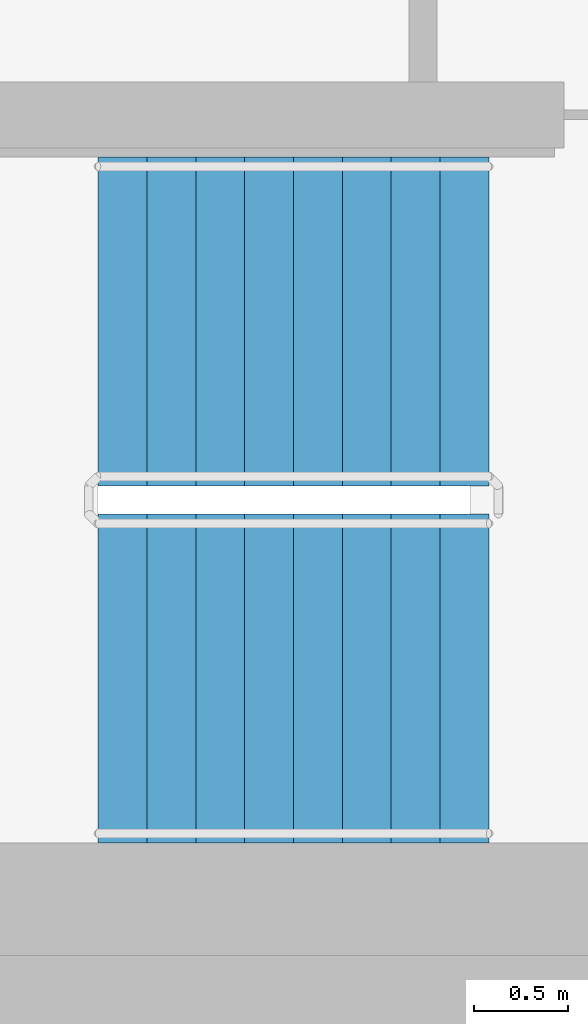
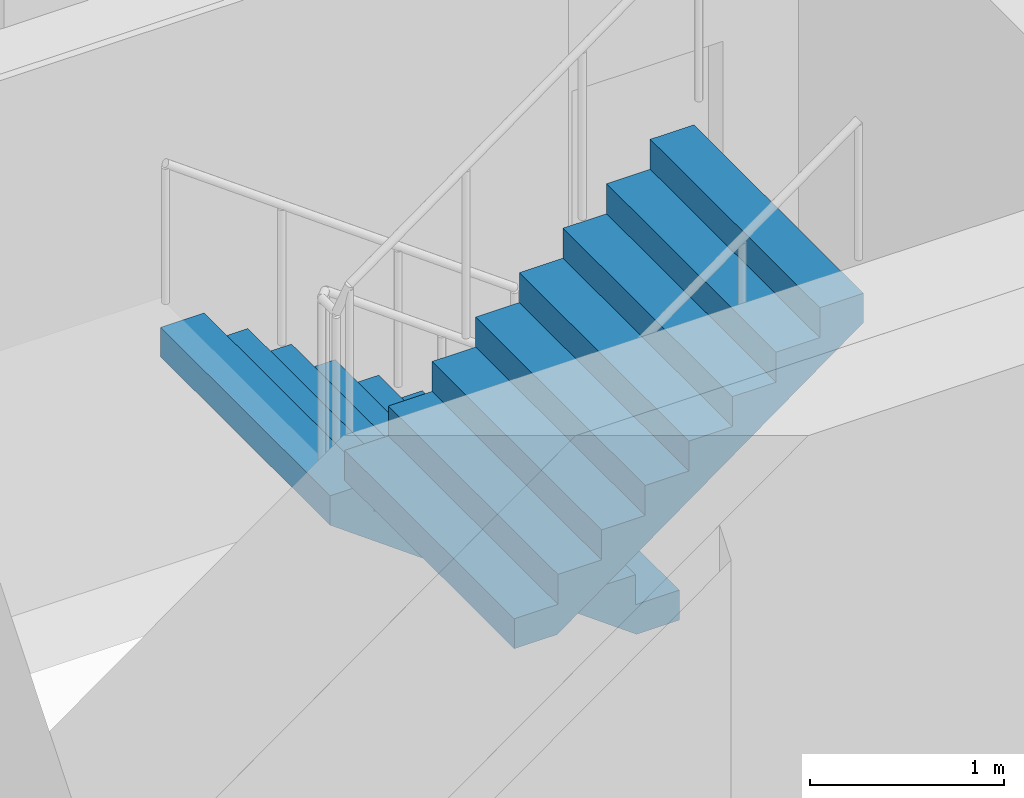
# One storey, part 13 of 19: 2 stair flights, 1 element without a shape of its own.
"""IFC4 building model written with IfcOpenShell, lengths in metres."""

from ifc_helpers import new_model, si_unit, direction, frame, origin, place, context, subcontext, project, spatial, faceted_brep, material, type_object, element, aggregate, save


model = new_model("IFC4")

# Units and contexts
model_context = context("Model", 3, precision=1e-05, world=origin(), true_north=direction((0.0, 1.0)))
body_context = subcontext(model_context, "Body", "Model", "MODEL_VIEW")
ifc_project = project(units=[si_unit("LENGTHUNIT", "METRE"), si_unit("AREAUNIT", "SQUARE_METRE"), si_unit("VOLUMEUNIT", "CUBIC_METRE"), si_unit("PLANEANGLEUNIT", "RADIAN"), si_unit("MASSUNIT", "GRAM", prefix="KILO")], contexts=[model_context])

# Site, building, storey
site_placement = place(None, origin())
site = spatial("IfcSite", under=ifc_project, at=site_placement, CompositionType="ELEMENT")
building_placement = place(site_placement, origin())
building = spatial("IfcBuilding", under=site, at=building_placement, Name="Ipe Terrace Towers", CompositionType="ELEMENT")
storey_placement = place(building_placement, frame((0.0, 0.0, 189.199951171875)))
storey = spatial("IfcBuildingStorey", under=building, at=storey_placement, Name="L52", CompositionType="ELEMENT", Elevation=189.199951171875)

# Stair, stair flights
ifc_material_1 = material(Name="Concrete C30/37", Category="concrete")
stair_type = type_object("IfcStairType", Name="Protected exit stair", PredefinedType="HALF_TURN_STAIR", material=ifc_material_1)
stair_placement = place(storey_placement, origin())
stair = element("IfcStair", 1, at=stair_placement, inside=storey, type_object=stair_type, Name="L52 Exit stair T1-C2", PredefinedType="HALF_TURN_STAIR")
ifc_material_2 = material(Name="Concrete C30/37", Category="concrete")
stair_flight_type = type_object("IfcStairFlightType", Name="Exit stair flight 1750", PredefinedType="STRAIGHT", material=ifc_material_2)
stair_flight_1_placement = place(storey_placement, frame((-45.699951171875, -2.77490234375, 0.0), z_axis=(0.0, 0.0, 1.0), x_axis=(-1.0, 0.0, 0.0)))
stair_flight_1 = element("IfcStairFlight", 2, at=stair_flight_1_placement, type_object=stair_flight_type, Name="T1-ST2 flight 1", NumberOfRisers=9, NumberOfTreads=8, PredefinedType="STRAIGHT", RiserHeight=0.188888889, TreadLength=0.26, context=body_context, shape_type="Brep", body=[
    faceted_brep([(0.255126953125, -0.875, 0.0), (2.080078125, -0.875, 1.325927734375), (2.080078125, -0.875, 1.51123046875), (1.820068359375, -0.875, 1.51123046875), (1.820068359375, -0.875, 1.322265625), (1.56005859375, -0.875, 1.322265625), (1.56005859375, -0.875, 1.13330078125), (1.300048828125, -0.875, 1.13330078125), (1.300048828125, -0.875, 0.9443359375), (1.0400390625, -0.875, 0.9443359375), (1.0400390625, -0.875, 0.755615234375), (0.780029296875, -0.875, 0.755615234375), (0.780029296875, -0.875, 0.566650390625), (0.52001953125, -0.875, 0.566650390625), (0.52001953125, -0.875, 0.377685546875), (0.260009765625, -0.875, 0.377685546875), (0.260009765625, -0.875, 0.18896484375), (0.0, -0.875, 0.18896484375), (0.0, -0.875, 0.0), (0.0, 0.875, 0.0), (0.0, 0.875, 0.18896484375), (0.260009765625, 0.875, 0.18896484375), (0.260009765625, 0.875, 0.377685546875), (0.52001953125, 0.875, 0.377685546875), (0.52001953125, 0.875, 0.566650390625), (0.780029296875, 0.875, 0.566650390625), (0.780029296875, 0.875, 0.755615234375), (1.0400390625, 0.875, 0.755615234375), (1.0400390625, 0.875, 0.9443359375), (1.300048828125, 0.875, 0.9443359375), (1.300048828125, 0.875, 1.13330078125), (1.56005859375, 0.875, 1.13330078125), (1.56005859375, 0.875, 1.322265625), (1.820068359375, 0.875, 1.322265625), (1.820068359375, 0.875, 1.51123046875), (2.080078125, 0.875, 1.51123046875), (2.080078125, 0.875, 1.325927734375), (0.255126953125, 0.875, 0.0), (0.0, -0.300048828125, 0.18896484375), (0.0, -0.1201171875, 0.18896484375), (0.0, -0.06005859375, 0.18896484375), (0.0, -0.030029296875, 0.18896484375), (0.0, -0.010009765625, 0.18896484375), (0.0, 0.0, 0.18896484375), (0.0, 0.010009765625, 0.18896484375), (0.0, 0.030029296875, 0.18896484375), (0.0, 0.06005859375, 0.18896484375), (0.0, 0.1201171875, 0.18896484375), (0.0, 0.300048828125, 0.18896484375), (0.0, 0.300048828125, 0.0), (0.0, 0.1201171875, 0.0), (0.0, 0.06005859375, 0.0), (0.0, 0.030029296875, 0.0), (0.0, 0.010009765625, 0.0), (0.0, 0.0, 0.0), (0.0, -0.010009765625, 0.0), (0.0, -0.030029296875, 0.0), (0.0, -0.06005859375, 0.0), (0.0, -0.1201171875, 0.0), (0.0, -0.300048828125, 0.0), (0.260009765625, -0.300048828125, 0.18896484375), (0.260009765625, -0.1201171875, 0.18896484375), (0.260009765625, -0.06005859375, 0.18896484375), (0.260009765625, -0.030029296875, 0.18896484375), (0.260009765625, -0.010009765625, 0.18896484375), (0.260009765625, 0.0, 0.18896484375), (0.260009765625, 0.010009765625, 0.18896484375), (0.260009765625, 0.030029296875, 0.18896484375), (0.260009765625, 0.06005859375, 0.18896484375), (0.260009765625, 0.1201171875, 0.18896484375), (0.260009765625, 0.300048828125, 0.18896484375), (0.260009765625, -0.300048828125, 0.377685546875), (0.260009765625, -0.1201171875, 0.377685546875), (0.260009765625, -0.06005859375, 0.377685546875), (0.260009765625, -0.030029296875, 0.377685546875), (0.260009765625, -0.010009765625, 0.377685546875), (0.260009765625, 0.0, 0.377685546875), (0.260009765625, 0.010009765625, 0.377685546875), (0.260009765625, 0.030029296875, 0.377685546875), (0.260009765625, 0.06005859375, 0.377685546875), (0.260009765625, 0.1201171875, 0.377685546875), (0.260009765625, 0.300048828125, 0.377685546875), (0.52001953125, -0.300048828125, 0.377685546875), (0.52001953125, -0.1201171875, 0.377685546875), (0.52001953125, -0.06005859375, 0.377685546875), (0.52001953125, -0.030029296875, 0.377685546875), (0.52001953125, -0.010009765625, 0.377685546875), (0.52001953125, 0.0, 0.377685546875), (0.52001953125, 0.010009765625, 0.377685546875), (0.52001953125, 0.030029296875, 0.377685546875), (0.52001953125, 0.06005859375, 0.377685546875), (0.52001953125, 0.1201171875, 0.377685546875), (0.52001953125, 0.300048828125, 0.377685546875), (0.52001953125, -0.300048828125, 0.566650390625), (0.52001953125, -0.1201171875, 0.566650390625), (0.52001953125, -0.06005859375, 0.566650390625), (0.52001953125, -0.030029296875, 0.566650390625), (0.52001953125, -0.010009765625, 0.566650390625), (0.52001953125, 0.0, 0.566650390625), (0.52001953125, 0.010009765625, 0.566650390625), (0.52001953125, 0.030029296875, 0.566650390625), (0.52001953125, 0.06005859375, 0.566650390625), (0.52001953125, 0.1201171875, 0.566650390625), (0.52001953125, 0.300048828125, 0.566650390625), (0.780029296875, -0.300048828125, 0.566650390625), (0.780029296875, -0.1201171875, 0.566650390625), (0.780029296875, -0.06005859375, 0.566650390625), (0.780029296875, -0.030029296875, 0.566650390625), (0.780029296875, -0.010009765625, 0.566650390625), (0.780029296875, 0.0, 0.566650390625), (0.780029296875, 0.010009765625, 0.566650390625), (0.780029296875, 0.030029296875, 0.566650390625), (0.780029296875, 0.06005859375, 0.566650390625), (0.780029296875, 0.1201171875, 0.566650390625), (0.780029296875, 0.300048828125, 0.566650390625), (0.780029296875, -0.300048828125, 0.755615234375), (0.780029296875, -0.1201171875, 0.755615234375), (0.780029296875, -0.06005859375, 0.755615234375), (0.780029296875, -0.030029296875, 0.755615234375), (0.780029296875, -0.010009765625, 0.755615234375), (0.780029296875, 0.0, 0.755615234375), (0.780029296875, 0.010009765625, 0.755615234375), (0.780029296875, 0.030029296875, 0.755615234375), (0.780029296875, 0.06005859375, 0.755615234375), (0.780029296875, 0.1201171875, 0.755615234375), (0.780029296875, 0.300048828125, 0.755615234375), (1.0400390625, -0.300048828125, 0.755615234375), (1.0400390625, -0.1201171875, 0.755615234375), (1.0400390625, -0.06005859375, 0.755615234375), (1.0400390625, -0.030029296875, 0.755615234375), (1.0400390625, -0.010009765625, 0.755615234375), (1.0400390625, 0.0, 0.755615234375), (1.0400390625, 0.010009765625, 0.755615234375), (1.0400390625, 0.030029296875, 0.755615234375), (1.0400390625, 0.06005859375, 0.755615234375), (1.0400390625, 0.1201171875, 0.755615234375), (1.0400390625, 0.300048828125, 0.755615234375), (1.0400390625, -0.300048828125, 0.9443359375), (1.0400390625, -0.1201171875, 0.9443359375), (1.0400390625, -0.06005859375, 0.9443359375), (1.0400390625, -0.030029296875, 0.9443359375), (1.0400390625, -0.010009765625, 0.9443359375), (1.0400390625, 0.0, 0.9443359375), (1.0400390625, 0.010009765625, 0.9443359375), (1.0400390625, 0.030029296875, 0.9443359375), (1.0400390625, 0.06005859375, 0.9443359375), (1.0400390625, 0.1201171875, 0.9443359375), (1.0400390625, 0.300048828125, 0.9443359375), (1.300048828125, -0.300048828125, 0.9443359375), (1.300048828125, -0.1201171875, 0.9443359375), (1.300048828125, -0.06005859375, 0.9443359375), (1.300048828125, -0.030029296875, 0.9443359375), (1.300048828125, -0.010009765625, 0.9443359375), (1.300048828125, 0.0, 0.9443359375), (1.300048828125, 0.010009765625, 0.9443359375), (1.300048828125, 0.030029296875, 0.9443359375), (1.300048828125, 0.06005859375, 0.9443359375), (1.300048828125, 0.1201171875, 0.9443359375), (1.300048828125, 0.300048828125, 0.9443359375), (1.300048828125, -0.300048828125, 1.13330078125), (1.300048828125, -0.1201171875, 1.13330078125), (1.300048828125, -0.06005859375, 1.13330078125), (1.300048828125, -0.030029296875, 1.13330078125), (1.300048828125, -0.010009765625, 1.13330078125), (1.300048828125, 0.0, 1.13330078125), (1.300048828125, 0.010009765625, 1.13330078125), (1.300048828125, 0.030029296875, 1.13330078125), (1.300048828125, 0.06005859375, 1.13330078125), (1.300048828125, 0.1201171875, 1.13330078125), (1.300048828125, 0.300048828125, 1.13330078125), (1.56005859375, -0.300048828125, 1.13330078125), (1.56005859375, -0.1201171875, 1.13330078125), (1.56005859375, -0.06005859375, 1.13330078125), (1.56005859375, -0.030029296875, 1.13330078125), (1.56005859375, -0.010009765625, 1.13330078125), (1.56005859375, 0.0, 1.13330078125), (1.56005859375, 0.010009765625, 1.13330078125), (1.56005859375, 0.030029296875, 1.13330078125), (1.56005859375, 0.06005859375, 1.13330078125), (1.56005859375, 0.1201171875, 1.13330078125), (1.56005859375, 0.300048828125, 1.13330078125), (1.56005859375, -0.300048828125, 1.322265625), (1.56005859375, -0.1201171875, 1.322265625), (1.56005859375, -0.06005859375, 1.322265625), (1.56005859375, -0.030029296875, 1.322265625), (1.56005859375, -0.010009765625, 1.322265625), (1.56005859375, 0.0, 1.322265625), (1.56005859375, 0.010009765625, 1.322265625), (1.56005859375, 0.030029296875, 1.322265625), (1.56005859375, 0.06005859375, 1.322265625), (1.56005859375, 0.1201171875, 1.322265625), (1.56005859375, 0.300048828125, 1.322265625), (1.820068359375, -0.300048828125, 1.322265625), (1.820068359375, -0.1201171875, 1.322265625), (1.820068359375, -0.06005859375, 1.322265625), (1.820068359375, -0.030029296875, 1.322265625), (1.820068359375, -0.010009765625, 1.322265625), (1.820068359375, 0.0, 1.322265625), (1.820068359375, 0.010009765625, 1.322265625), (1.820068359375, 0.030029296875, 1.322265625), (1.820068359375, 0.06005859375, 1.322265625), (1.820068359375, 0.1201171875, 1.322265625), (1.820068359375, 0.300048828125, 1.322265625), (1.820068359375, -0.300048828125, 1.51123046875), (1.820068359375, -0.1201171875, 1.51123046875), (1.820068359375, -0.06005859375, 1.51123046875), (1.820068359375, -0.030029296875, 1.51123046875), (1.820068359375, -0.010009765625, 1.51123046875), (1.820068359375, 0.0, 1.51123046875), (1.820068359375, 0.010009765625, 1.51123046875), (1.820068359375, 0.030029296875, 1.51123046875), (1.820068359375, 0.06005859375, 1.51123046875), (1.820068359375, 0.1201171875, 1.51123046875), (1.820068359375, 0.300048828125, 1.51123046875), (2.080078125, -0.300048828125, 1.51123046875), (2.080078125, -0.1201171875, 1.51123046875), (2.080078125, -0.06005859375, 1.51123046875), (2.080078125, -0.030029296875, 1.51123046875), (2.080078125, -0.010009765625, 1.51123046875), (2.080078125, 0.0, 1.51123046875), (2.080078125, 0.010009765625, 1.51123046875), (2.080078125, 0.030029296875, 1.51123046875), (2.080078125, 0.06005859375, 1.51123046875), (2.080078125, 0.1201171875, 1.51123046875), (2.080078125, 0.300048828125, 1.51123046875), (2.080078125, -0.300048828125, 1.325927734375), (2.080078125, -0.1201171875, 1.325927734375), (2.080078125, -0.06005859375, 1.325927734375), (2.080078125, -0.030029296875, 1.325927734375), (2.080078125, -0.010009765625, 1.325927734375), (2.080078125, 0.0, 1.325927734375), (2.080078125, 0.010009765625, 1.325927734375), (2.080078125, 0.030029296875, 1.325927734375), (2.080078125, 0.06005859375, 1.325927734375), (2.080078125, 0.1201171875, 1.325927734375), (2.080078125, 0.300048828125, 1.325927734375), (0.255126953125, -0.300048828125, 0.0), (0.255126953125, -0.1201171875, 0.0), (0.255126953125, -0.06005859375, 0.0), (0.255126953125, -0.030029296875, 0.0), (0.255126953125, -0.010009765625, 0.0), (0.255126953125, 0.0, 0.0), (0.255126953125, 0.010009765625, 0.0), (0.255126953125, 0.030029296875, 0.0), (0.255126953125, 0.06005859375, 0.0), (0.255126953125, 0.1201171875, 0.0), (0.255126953125, 0.300048828125, 0.0)], [[[0, 1, 2, 3, 4, 5, 6, 7, 8, 9, 10, 11, 12, 13, 14, 15, 16, 17, 18]], [[19, 20, 21, 22, 23, 24, 25, 26, 27, 28, 29, 30, 31, 32, 33, 34, 35, 36, 37]], [[17, 38, 39, 40, 41, 42, 43, 44, 45, 46, 47, 48, 20, 19, 49, 50, 51, 52, 53, 54, 55, 56, 57, 58, 59, 18]], [[16, 60, 61, 62, 63, 64, 65, 66, 67, 68, 69, 70, 21, 20, 48, 47, 46, 45, 44, 43, 42, 41, 40, 39, 38, 17]], [[15, 71, 72, 73, 74, 75, 76, 77, 78, 79, 80, 81, 22, 21, 70, 69, 68, 67, 66, 65, 64, 63, 62, 61, 60, 16]], [[14, 82, 83, 84, 85, 86, 87, 88, 89, 90, 91, 92, 23, 22, 81, 80, 79, 78, 77, 76, 75, 74, 73, 72, 71, 15]], [[13, 93, 94, 95, 96, 97, 98, 99, 100, 101, 102, 103, 24, 23, 92, 91, 90, 89, 88, 87, 86, 85, 84, 83, 82, 14]], [[12, 104, 105, 106, 107, 108, 109, 110, 111, 112, 113, 114, 25, 24, 103, 102, 101, 100, 99, 98, 97, 96, 95, 94, 93, 13]], [[11, 115, 116, 117, 118, 119, 120, 121, 122, 123, 124, 125, 26, 25, 114, 113, 112, 111, 110, 109, 108, 107, 106, 105, 104, 12]], [[10, 126, 127, 128, 129, 130, 131, 132, 133, 134, 135, 136, 27, 26, 125, 124, 123, 122, 121, 120, 119, 118, 117, 116, 115, 11]], [[9, 137, 138, 139, 140, 141, 142, 143, 144, 145, 146, 147, 28, 27, 136, 135, 134, 133, 132, 131, 130, 129, 128, 127, 126, 10]], [[8, 148, 149, 150, 151, 152, 153, 154, 155, 156, 157, 158, 29, 28, 147, 146, 145, 144, 143, 142, 141, 140, 139, 138, 137, 9]], [[7, 159, 160, 161, 162, 163, 164, 165, 166, 167, 168, 169, 30, 29, 158, 157, 156, 155, 154, 153, 152, 151, 150, 149, 148, 8]], [[6, 170, 171, 172, 173, 174, 175, 176, 177, 178, 179, 180, 31, 30, 169, 168, 167, 166, 165, 164, 163, 162, 161, 160, 159, 7]], [[5, 181, 182, 183, 184, 185, 186, 187, 188, 189, 190, 191, 32, 31, 180, 179, 178, 177, 176, 175, 174, 173, 172, 171, 170, 6]], [[4, 192, 193, 194, 195, 196, 197, 198, 199, 200, 201, 202, 33, 32, 191, 190, 189, 188, 187, 186, 185, 184, 183, 182, 181, 5]], [[3, 203, 204, 205, 206, 207, 208, 209, 210, 211, 212, 213, 34, 33, 202, 201, 200, 199, 198, 197, 196, 195, 194, 193, 192, 4]], [[2, 214, 215, 216, 217, 218, 219, 220, 221, 222, 223, 224, 35, 34, 213, 212, 211, 210, 209, 208, 207, 206, 205, 204, 203, 3]], [[1, 225, 226, 227, 228, 229, 230, 231, 232, 233, 234, 235, 36, 35, 224, 223, 222, 221, 220, 219, 218, 217, 216, 215, 214, 2]], [[0, 236, 237, 238, 239, 240, 241, 242, 243, 244, 245, 246, 37, 36, 235, 234, 233, 232, 231, 230, 229, 228, 227, 226, 225, 1]], [[18, 59, 58, 57, 56, 55, 54, 53, 52, 51, 50, 49, 19, 37, 246, 245, 244, 243, 242, 241, 240, 239, 238, 237, 236, 0]]]),
])
stair_flight_2_placement = place(storey_placement, frame((-47.780029296875, -4.675048828125, 1.699951171875), z_axis=(0.0, 0.0, 1.0), x_axis=(1.0, 0.0, 0.0)))
stair_flight_2 = element("IfcStairFlight", 3, at=stair_flight_2_placement, type_object=stair_flight_type, Name="T1-ST2 flight 2", NumberOfRisers=9, NumberOfTreads=8, PredefinedType="STRAIGHT", RiserHeight=0.188888889, TreadLength=0.26, context=body_context, shape_type="Brep", body=[
    faceted_brep([(0.255126953125, -0.875, 0.0), (2.080078125, -0.875, 1.325927734375), (2.080078125, -0.875, 1.51123046875), (1.820068359375, -0.875, 1.51123046875), (1.820068359375, -0.875, 1.322265625), (1.56005859375, -0.875, 1.322265625), (1.56005859375, -0.875, 1.13330078125), (1.300048828125, -0.875, 1.13330078125), (1.300048828125, -0.875, 0.9443359375), (1.0400390625, -0.875, 0.9443359375), (1.0400390625, -0.875, 0.755615234375), (0.780029296875, -0.875, 0.755615234375), (0.780029296875, -0.875, 0.566650390625), (0.52001953125, -0.875, 0.566650390625), (0.52001953125, -0.875, 0.377685546875), (0.260009765625, -0.875, 0.377685546875), (0.260009765625, -0.875, 0.18896484375), (0.0, -0.875, 0.18896484375), (0.0, -0.875, 0.0), (0.0, 0.875, 0.0), (0.0, 0.875, 0.18896484375), (0.260009765625, 0.875, 0.18896484375), (0.260009765625, 0.875, 0.377685546875), (0.52001953125, 0.875, 0.377685546875), (0.52001953125, 0.875, 0.566650390625), (0.780029296875, 0.875, 0.566650390625), (0.780029296875, 0.875, 0.755615234375), (1.0400390625, 0.875, 0.755615234375), (1.0400390625, 0.875, 0.9443359375), (1.300048828125, 0.875, 0.9443359375), (1.300048828125, 0.875, 1.13330078125), (1.56005859375, 0.875, 1.13330078125), (1.56005859375, 0.875, 1.322265625), (1.820068359375, 0.875, 1.322265625), (1.820068359375, 0.875, 1.51123046875), (2.080078125, 0.875, 1.51123046875), (2.080078125, 0.875, 1.325927734375), (0.255126953125, 0.875, 0.0), (0.0, -0.300048828125, 0.18896484375), (0.0, -0.1201171875, 0.18896484375), (0.0, -0.06005859375, 0.18896484375), (0.0, -0.030029296875, 0.18896484375), (0.0, -0.010009765625, 0.18896484375), (0.0, 0.0, 0.18896484375), (0.0, 0.010009765625, 0.18896484375), (0.0, 0.030029296875, 0.18896484375), (0.0, 0.06005859375, 0.18896484375), (0.0, 0.1201171875, 0.18896484375), (0.0, 0.300048828125, 0.18896484375), (0.0, 0.300048828125, 0.0), (0.0, 0.1201171875, 0.0), (0.0, 0.06005859375, 0.0), (0.0, 0.030029296875, 0.0), (0.0, 0.010009765625, 0.0), (0.0, 0.0, 0.0), (0.0, -0.010009765625, 0.0), (0.0, -0.030029296875, 0.0), (0.0, -0.06005859375, 0.0), (0.0, -0.1201171875, 0.0), (0.0, -0.300048828125, 0.0), (0.260009765625, -0.300048828125, 0.18896484375), (0.260009765625, -0.1201171875, 0.18896484375), (0.260009765625, -0.06005859375, 0.18896484375), (0.260009765625, -0.030029296875, 0.18896484375), (0.260009765625, -0.010009765625, 0.18896484375), (0.260009765625, 0.0, 0.18896484375), (0.260009765625, 0.010009765625, 0.18896484375), (0.260009765625, 0.030029296875, 0.18896484375), (0.260009765625, 0.06005859375, 0.18896484375), (0.260009765625, 0.1201171875, 0.18896484375), (0.260009765625, 0.300048828125, 0.18896484375), (0.260009765625, -0.300048828125, 0.377685546875), (0.260009765625, -0.1201171875, 0.377685546875), (0.260009765625, -0.06005859375, 0.377685546875), (0.260009765625, -0.030029296875, 0.377685546875), (0.260009765625, -0.010009765625, 0.377685546875), (0.260009765625, 0.0, 0.377685546875), (0.260009765625, 0.010009765625, 0.377685546875), (0.260009765625, 0.030029296875, 0.377685546875), (0.260009765625, 0.06005859375, 0.377685546875), (0.260009765625, 0.1201171875, 0.377685546875), (0.260009765625, 0.300048828125, 0.377685546875), (0.52001953125, -0.300048828125, 0.377685546875), (0.52001953125, -0.1201171875, 0.377685546875), (0.52001953125, -0.06005859375, 0.377685546875), (0.52001953125, -0.030029296875, 0.377685546875), (0.52001953125, -0.010009765625, 0.377685546875), (0.52001953125, 0.0, 0.377685546875), (0.52001953125, 0.010009765625, 0.377685546875), (0.52001953125, 0.030029296875, 0.377685546875), (0.52001953125, 0.06005859375, 0.377685546875), (0.52001953125, 0.1201171875, 0.377685546875), (0.52001953125, 0.300048828125, 0.377685546875), (0.52001953125, -0.300048828125, 0.566650390625), (0.52001953125, -0.1201171875, 0.566650390625), (0.52001953125, -0.06005859375, 0.566650390625), (0.52001953125, -0.030029296875, 0.566650390625), (0.52001953125, -0.010009765625, 0.566650390625), (0.52001953125, 0.0, 0.566650390625), (0.52001953125, 0.010009765625, 0.566650390625), (0.52001953125, 0.030029296875, 0.566650390625), (0.52001953125, 0.06005859375, 0.566650390625), (0.52001953125, 0.1201171875, 0.566650390625), (0.52001953125, 0.300048828125, 0.566650390625), (0.780029296875, -0.300048828125, 0.566650390625), (0.780029296875, -0.1201171875, 0.566650390625), (0.780029296875, -0.06005859375, 0.566650390625), (0.780029296875, -0.030029296875, 0.566650390625), (0.780029296875, -0.010009765625, 0.566650390625), (0.780029296875, 0.0, 0.566650390625), (0.780029296875, 0.010009765625, 0.566650390625), (0.780029296875, 0.030029296875, 0.566650390625), (0.780029296875, 0.06005859375, 0.566650390625), (0.780029296875, 0.1201171875, 0.566650390625), (0.780029296875, 0.300048828125, 0.566650390625), (0.780029296875, -0.300048828125, 0.755615234375), (0.780029296875, -0.1201171875, 0.755615234375), (0.780029296875, -0.06005859375, 0.755615234375), (0.780029296875, -0.030029296875, 0.755615234375), (0.780029296875, -0.010009765625, 0.755615234375), (0.780029296875, 0.0, 0.755615234375), (0.780029296875, 0.010009765625, 0.755615234375), (0.780029296875, 0.030029296875, 0.755615234375), (0.780029296875, 0.06005859375, 0.755615234375), (0.780029296875, 0.1201171875, 0.755615234375), (0.780029296875, 0.300048828125, 0.755615234375), (1.0400390625, -0.300048828125, 0.755615234375), (1.0400390625, -0.1201171875, 0.755615234375), (1.0400390625, -0.06005859375, 0.755615234375), (1.0400390625, -0.030029296875, 0.755615234375), (1.0400390625, -0.010009765625, 0.755615234375), (1.0400390625, 0.0, 0.755615234375), (1.0400390625, 0.010009765625, 0.755615234375), (1.0400390625, 0.030029296875, 0.755615234375), (1.0400390625, 0.06005859375, 0.755615234375), (1.0400390625, 0.1201171875, 0.755615234375), (1.0400390625, 0.300048828125, 0.755615234375), (1.0400390625, -0.300048828125, 0.9443359375), (1.0400390625, -0.1201171875, 0.9443359375), (1.0400390625, -0.06005859375, 0.9443359375), (1.0400390625, -0.030029296875, 0.9443359375), (1.0400390625, -0.010009765625, 0.9443359375), (1.0400390625, 0.0, 0.9443359375), (1.0400390625, 0.010009765625, 0.9443359375), (1.0400390625, 0.030029296875, 0.9443359375), (1.0400390625, 0.06005859375, 0.9443359375), (1.0400390625, 0.1201171875, 0.9443359375), (1.0400390625, 0.300048828125, 0.9443359375), (1.300048828125, -0.300048828125, 0.9443359375), (1.300048828125, -0.1201171875, 0.9443359375), (1.300048828125, -0.06005859375, 0.9443359375), (1.300048828125, -0.030029296875, 0.9443359375), (1.300048828125, -0.010009765625, 0.9443359375), (1.300048828125, 0.0, 0.9443359375), (1.300048828125, 0.010009765625, 0.9443359375), (1.300048828125, 0.030029296875, 0.9443359375), (1.300048828125, 0.06005859375, 0.9443359375), (1.300048828125, 0.1201171875, 0.9443359375), (1.300048828125, 0.300048828125, 0.9443359375), (1.300048828125, -0.300048828125, 1.13330078125), (1.300048828125, -0.1201171875, 1.13330078125), (1.300048828125, -0.06005859375, 1.13330078125), (1.300048828125, -0.030029296875, 1.13330078125), (1.300048828125, -0.010009765625, 1.13330078125), (1.300048828125, 0.0, 1.13330078125), (1.300048828125, 0.010009765625, 1.13330078125), (1.300048828125, 0.030029296875, 1.13330078125), (1.300048828125, 0.06005859375, 1.13330078125), (1.300048828125, 0.1201171875, 1.13330078125), (1.300048828125, 0.300048828125, 1.13330078125), (1.56005859375, -0.300048828125, 1.13330078125), (1.56005859375, -0.1201171875, 1.13330078125), (1.56005859375, -0.06005859375, 1.13330078125), (1.56005859375, -0.030029296875, 1.13330078125), (1.56005859375, -0.010009765625, 1.13330078125), (1.56005859375, 0.0, 1.13330078125), (1.56005859375, 0.010009765625, 1.13330078125), (1.56005859375, 0.030029296875, 1.13330078125), (1.56005859375, 0.06005859375, 1.13330078125), (1.56005859375, 0.1201171875, 1.13330078125), (1.56005859375, 0.300048828125, 1.13330078125), (1.56005859375, -0.300048828125, 1.322265625), (1.56005859375, -0.1201171875, 1.322265625), (1.56005859375, -0.06005859375, 1.322265625), (1.56005859375, -0.030029296875, 1.322265625), (1.56005859375, -0.010009765625, 1.322265625), (1.56005859375, 0.0, 1.322265625), (1.56005859375, 0.010009765625, 1.322265625), (1.56005859375, 0.030029296875, 1.322265625), (1.56005859375, 0.06005859375, 1.322265625), (1.56005859375, 0.1201171875, 1.322265625), (1.56005859375, 0.300048828125, 1.322265625), (1.820068359375, -0.300048828125, 1.322265625), (1.820068359375, -0.1201171875, 1.322265625), (1.820068359375, -0.06005859375, 1.322265625), (1.820068359375, -0.030029296875, 1.322265625), (1.820068359375, -0.010009765625, 1.322265625), (1.820068359375, 0.0, 1.322265625), (1.820068359375, 0.010009765625, 1.322265625), (1.820068359375, 0.030029296875, 1.322265625), (1.820068359375, 0.06005859375, 1.322265625), (1.820068359375, 0.1201171875, 1.322265625), (1.820068359375, 0.300048828125, 1.322265625), (1.820068359375, -0.300048828125, 1.51123046875), (1.820068359375, -0.1201171875, 1.51123046875), (1.820068359375, -0.06005859375, 1.51123046875), (1.820068359375, -0.030029296875, 1.51123046875), (1.820068359375, -0.010009765625, 1.51123046875), (1.820068359375, 0.0, 1.51123046875), (1.820068359375, 0.010009765625, 1.51123046875), (1.820068359375, 0.030029296875, 1.51123046875), (1.820068359375, 0.06005859375, 1.51123046875), (1.820068359375, 0.1201171875, 1.51123046875), (1.820068359375, 0.300048828125, 1.51123046875), (2.080078125, -0.300048828125, 1.51123046875), (2.080078125, -0.1201171875, 1.51123046875), (2.080078125, -0.06005859375, 1.51123046875), (2.080078125, -0.030029296875, 1.51123046875), (2.080078125, -0.010009765625, 1.51123046875), (2.080078125, 0.0, 1.51123046875), (2.080078125, 0.010009765625, 1.51123046875), (2.080078125, 0.030029296875, 1.51123046875), (2.080078125, 0.06005859375, 1.51123046875), (2.080078125, 0.1201171875, 1.51123046875), (2.080078125, 0.300048828125, 1.51123046875), (2.080078125, -0.300048828125, 1.325927734375), (2.080078125, -0.1201171875, 1.325927734375), (2.080078125, -0.06005859375, 1.325927734375), (2.080078125, -0.030029296875, 1.325927734375), (2.080078125, -0.010009765625, 1.325927734375), (2.080078125, 0.0, 1.325927734375), (2.080078125, 0.010009765625, 1.325927734375), (2.080078125, 0.030029296875, 1.325927734375), (2.080078125, 0.06005859375, 1.325927734375), (2.080078125, 0.1201171875, 1.325927734375), (2.080078125, 0.300048828125, 1.325927734375), (0.255126953125, -0.300048828125, 0.0), (0.255126953125, -0.1201171875, 0.0), (0.255126953125, -0.06005859375, 0.0), (0.255126953125, -0.030029296875, 0.0), (0.255126953125, -0.010009765625, 0.0), (0.255126953125, 0.0, 0.0), (0.255126953125, 0.010009765625, 0.0), (0.255126953125, 0.030029296875, 0.0), (0.255126953125, 0.06005859375, 0.0), (0.255126953125, 0.1201171875, 0.0), (0.255126953125, 0.300048828125, 0.0)], [[[0, 1, 2, 3, 4, 5, 6, 7, 8, 9, 10, 11, 12, 13, 14, 15, 16, 17, 18]], [[19, 20, 21, 22, 23, 24, 25, 26, 27, 28, 29, 30, 31, 32, 33, 34, 35, 36, 37]], [[17, 38, 39, 40, 41, 42, 43, 44, 45, 46, 47, 48, 20, 19, 49, 50, 51, 52, 53, 54, 55, 56, 57, 58, 59, 18]], [[16, 60, 61, 62, 63, 64, 65, 66, 67, 68, 69, 70, 21, 20, 48, 47, 46, 45, 44, 43, 42, 41, 40, 39, 38, 17]], [[15, 71, 72, 73, 74, 75, 76, 77, 78, 79, 80, 81, 22, 21, 70, 69, 68, 67, 66, 65, 64, 63, 62, 61, 60, 16]], [[14, 82, 83, 84, 85, 86, 87, 88, 89, 90, 91, 92, 23, 22, 81, 80, 79, 78, 77, 76, 75, 74, 73, 72, 71, 15]], [[13, 93, 94, 95, 96, 97, 98, 99, 100, 101, 102, 103, 24, 23, 92, 91, 90, 89, 88, 87, 86, 85, 84, 83, 82, 14]], [[12, 104, 105, 106, 107, 108, 109, 110, 111, 112, 113, 114, 25, 24, 103, 102, 101, 100, 99, 98, 97, 96, 95, 94, 93, 13]], [[11, 115, 116, 117, 118, 119, 120, 121, 122, 123, 124, 125, 26, 25, 114, 113, 112, 111, 110, 109, 108, 107, 106, 105, 104, 12]], [[10, 126, 127, 128, 129, 130, 131, 132, 133, 134, 135, 136, 27, 26, 125, 124, 123, 122, 121, 120, 119, 118, 117, 116, 115, 11]], [[9, 137, 138, 139, 140, 141, 142, 143, 144, 145, 146, 147, 28, 27, 136, 135, 134, 133, 132, 131, 130, 129, 128, 127, 126, 10]], [[8, 148, 149, 150, 151, 152, 153, 154, 155, 156, 157, 158, 29, 28, 147, 146, 145, 144, 143, 142, 141, 140, 139, 138, 137, 9]], [[7, 159, 160, 161, 162, 163, 164, 165, 166, 167, 168, 169, 30, 29, 158, 157, 156, 155, 154, 153, 152, 151, 150, 149, 148, 8]], [[6, 170, 171, 172, 173, 174, 175, 176, 177, 178, 179, 180, 31, 30, 169, 168, 167, 166, 165, 164, 163, 162, 161, 160, 159, 7]], [[5, 181, 182, 183, 184, 185, 186, 187, 188, 189, 190, 191, 32, 31, 180, 179, 178, 177, 176, 175, 174, 173, 172, 171, 170, 6]], [[4, 192, 193, 194, 195, 196, 197, 198, 199, 200, 201, 202, 33, 32, 191, 190, 189, 188, 187, 186, 185, 184, 183, 182, 181, 5]], [[3, 203, 204, 205, 206, 207, 208, 209, 210, 211, 212, 213, 34, 33, 202, 201, 200, 199, 198, 197, 196, 195, 194, 193, 192, 4]], [[2, 214, 215, 216, 217, 218, 219, 220, 221, 222, 223, 224, 35, 34, 213, 212, 211, 210, 209, 208, 207, 206, 205, 204, 203, 3]], [[1, 225, 226, 227, 228, 229, 230, 231, 232, 233, 234, 235, 36, 35, 224, 223, 222, 221, 220, 219, 218, 217, 216, 215, 214, 2]], [[0, 236, 237, 238, 239, 240, 241, 242, 243, 244, 245, 246, 37, 36, 235, 234, 233, 232, 231, 230, 229, 228, 227, 226, 225, 1]], [[18, 59, 58, 57, 56, 55, 54, 53, 52, 51, 50, 49, 19, 37, 246, 245, 244, 243, 242, 241, 240, 239, 238, 237, 236, 0]]]),
])
aggregate(stair, [stair_flight_1, stair_flight_2])

save(model, "model.ifc")
